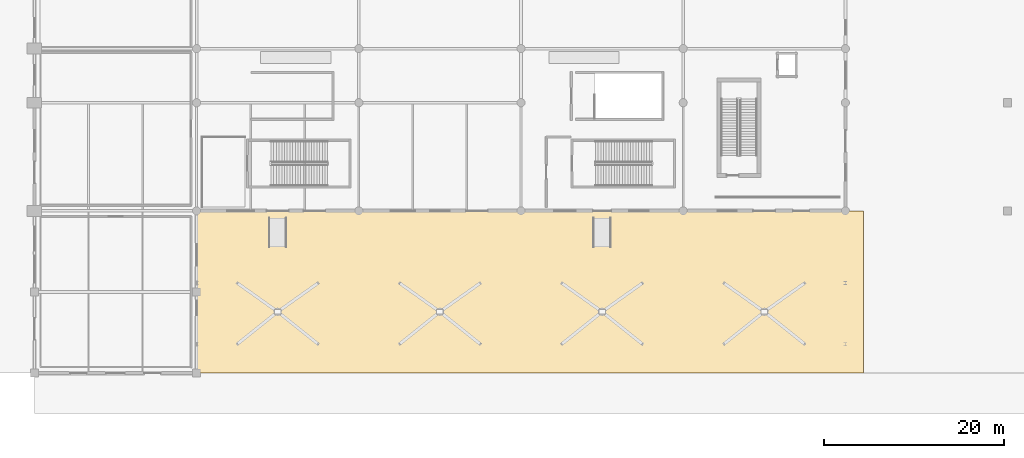
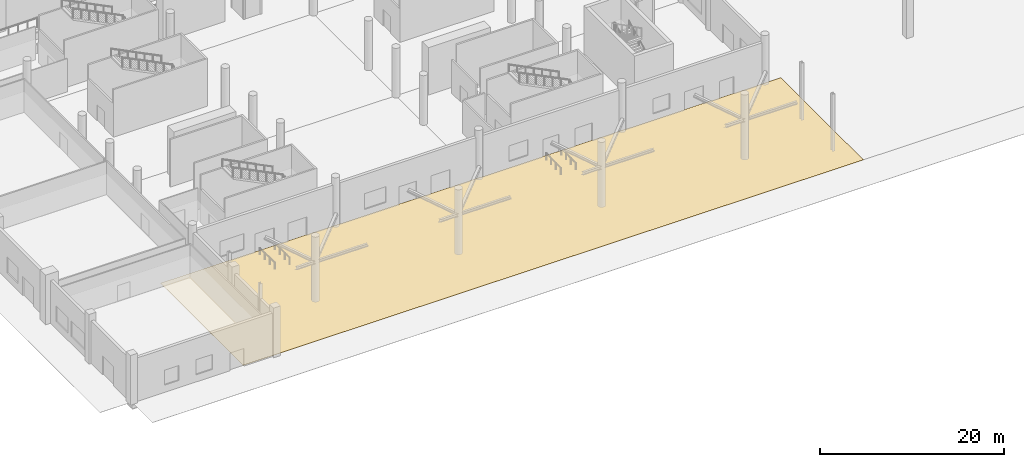
# One storey, part 35 of 65: 1 covering.
"""IFC4 building model written with IfcOpenShell, lengths in metres."""

from ifc_helpers import new_model, si_unit, direction, frame, origin, place, context, subcontext, project, spatial, polyline, outline, extrude, material, layer, layer_set, type_object, element, save


model = new_model("IFC4")

# Units and contexts
model_context = context("Model", 3, precision=1e-05, world=origin(), true_north=direction((0.0, 1.0)))
body_context = subcontext(model_context, "Body", "Model", "MODEL_VIEW")
ifc_project = project(units=[si_unit("LENGTHUNIT", "METRE"), si_unit("AREAUNIT", "SQUARE_METRE"), si_unit("VOLUMEUNIT", "CUBIC_METRE"), si_unit("PLANEANGLEUNIT", "RADIAN"), si_unit("MASSUNIT", "GRAM", prefix="KILO")], contexts=[model_context])

# Site, building, storey
site_placement = place(None, origin())
site = spatial("IfcSite", under=ifc_project, at=site_placement, CompositionType="ELEMENT")
building_placement = place(site_placement, origin())
building = spatial("IfcBuilding", under=site, at=building_placement, Name="Chuanluo Vaults Station", CompositionType="ELEMENT")
storey_placement = place(building_placement, origin())
storey = spatial("IfcBuildingStorey", under=building, at=storey_placement, Name="L00", CompositionType="ELEMENT", Elevation=0.0)

# Covering
ifc_material = material(Name="Granite stone flooring", Category="masonry")
ifc_layer = layer(ifc_material, 0.034912109375)
ifc_layer_set = layer_set([ifc_layer], Name="Granite stone flooring")
covering_type = type_object("IfcCoveringType", Name="COV-FLOR-GRAN", PredefinedType="FLOORING", material=ifc_layer_set)
covering_placement = place(storey_placement, frame((0.0, 0.0, -0.0400390625)))
element("IfcCovering", 1, at=covering_placement, inside=storey, type_object=covering_type, Name="Exterior plaza granite paving FORECOURT", PredefinedType="FLOORING", context=body_context, shape_type="SweptSolid", body=[
    extrude(outline(polyline([(14.0, 0.0), (92.0, 0.0), (92.0, 18.0), (14.0, 18.0), (14.0, 0.0)])), origin(), (0.0, 0.0, 1.0), 0.0400390625),
])

save(model, "model.ifc")
